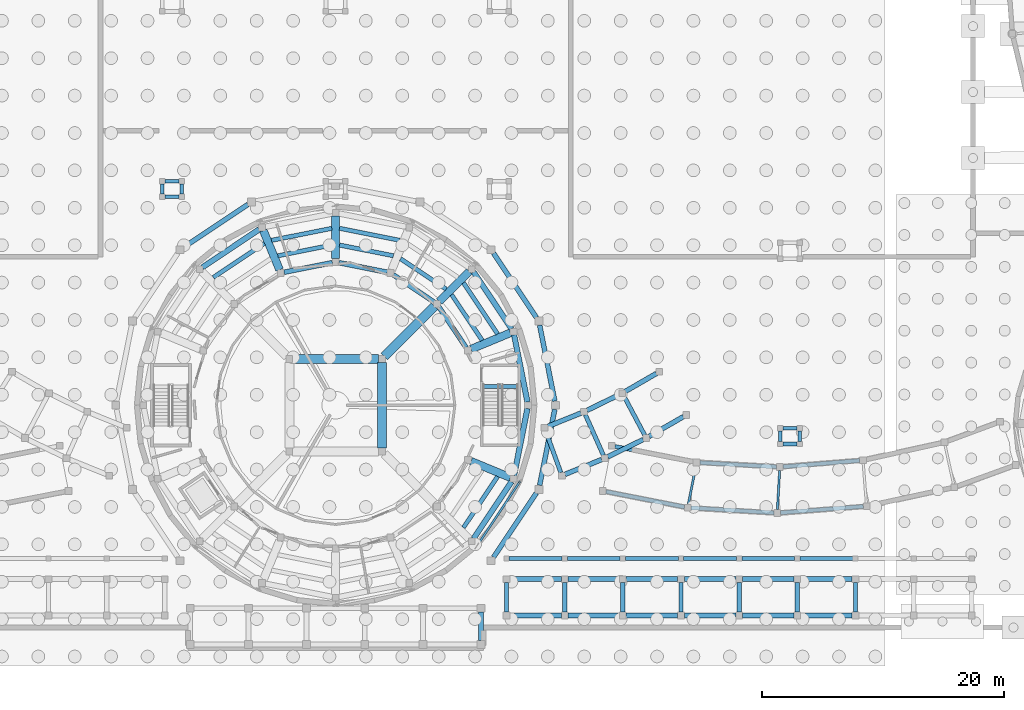
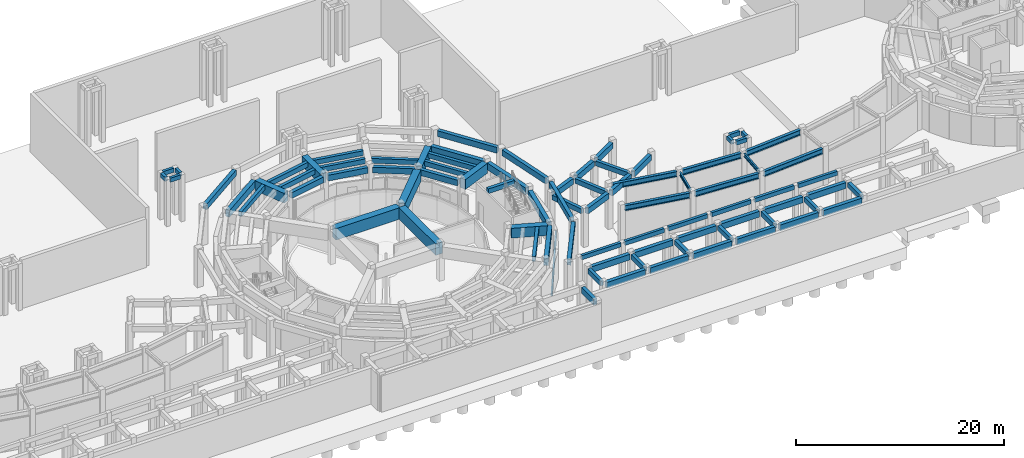
# One storey, part 17 of 57: 83 beams, 1 member.
"""IFC4 building model written with IfcOpenShell, lengths in metres."""

from ifc_helpers import new_model, si_unit, direction, frame, origin, origin_2d, place, context, subcontext, project, spatial, rectangle, i_section, extrude, material, material_profile, profile_set, type_object, element, save


model = new_model("IFC4")

# Units and contexts
model_context = context("Model", 3, precision=1e-05, world=origin(), true_north=direction((0.0, 1.0)))
body_context = subcontext(model_context, "Body", "Model", "MODEL_VIEW")
ifc_project = project(units=[si_unit("LENGTHUNIT", "METRE"), si_unit("AREAUNIT", "SQUARE_METRE"), si_unit("VOLUMEUNIT", "CUBIC_METRE"), si_unit("PLANEANGLEUNIT", "RADIAN"), si_unit("MASSUNIT", "GRAM", prefix="KILO")], contexts=[model_context])

# Site, building, storey
site_placement = place(None, origin())
site = spatial("IfcSite", under=ifc_project, at=site_placement, CompositionType="ELEMENT")
building_placement = place(site_placement, origin())
building = spatial("IfcBuilding", under=site, at=building_placement, Name="Aldenvaro Health Centre", CompositionType="ELEMENT")
storey_placement = place(building_placement, frame((0.0, 0.0, -4.550048828125)))
storey = spatial("IfcBuildingStorey", under=building, at=storey_placement, Name="B1", CompositionType="ELEMENT", Elevation=-4.550048828125)

# Beams
ifc_material_1 = material(Name="Concrete f'c 40 MPa", Category="concrete")
ifc_material_profile_1 = material_profile(ifc_material_1, rectangle(XDim=0.300048828125, YDim=0.47998046875, at=origin_2d()), Name="RC 300x480", Category="concrete")
ifc_profile_set_1 = profile_set([ifc_material_profile_1], Name="Concrete f'c 40 MPa")
beam_type_1 = type_object("IfcBeamType", Name="BM-RC-480", PredefinedType="LINTEL", material=ifc_profile_set_1)
for number, where, z_axis, x_axis, name in (
    (1, (123.925048828125, 16.800048828125, 4.090087890625), (1.0, 0.0, 0.0), (0.0, 1.0, 0.0), "Ramp 3 Departure Beam 1"),
    (2, (125.074951171875, 18.10009765625, 4.090087890625), (-1.0, 0.0, 0.0), (0.0, -1.0, 0.0), "Ramp 3 Departure Beam 2"),
):
    element("IfcBeam", number, at=place(storey_placement, frame(where, z_axis=z_axis, x_axis=x_axis)), inside=storey, type_object=beam_type_1, Name=name, PredefinedType="LINTEL", context=body_context, shape_type="SweptSolid", body=[
        extrude(rectangle(XDim=0.300048828125, YDim=0.47998046875, at=origin_2d()), origin(), (0.0, 0.0, 1.0), 1.14990234375),
    ])
for number, where, z_axis, x_axis, name in (
    (3, (123.699951171875, 17.02490234375, 4.090087890625), (0.0, 1.0, 0.0), (-1.0, 0.0, 0.0), "Ramp 3 Departure Beam 3"),
    (4, (125.300048828125, 17.02490234375, 4.090087890625), (0.0, 1.0, 0.0), (-1.0, 0.0, 0.0), "Ramp 3 Departure Beam 4"),
):
    element("IfcBeam", number, at=place(storey_placement, frame(where, z_axis=z_axis, x_axis=x_axis)), inside=storey, type_object=beam_type_1, Name=name, PredefinedType="LINTEL", context=body_context, shape_type="SweptSolid", body=[
        extrude(rectangle(XDim=0.300048828125, YDim=0.47998046875, at=origin_2d()), origin(), (0.0, 0.0, 1.0), 0.85009765625),
    ])
for number, where, z_axis, x_axis, name in (
    (5, (72.925048828125, 37.199951171875, 5.239990234375), (1.0, 0.0, 0.0), (0.0, 1.0, 0.0), "Ramp 4 Departure Beam 1"),
    (6, (74.074951171875, 38.5, 5.239990234375), (-1.0, 0.0, 0.0), (0.0, -1.0, 0.0), "Ramp 4 Departure Beam 2"),
):
    element("IfcBeam", number, at=place(storey_placement, frame(where, z_axis=z_axis, x_axis=x_axis)), inside=storey, type_object=beam_type_1, Name=name, PredefinedType="LINTEL", context=body_context, shape_type="SweptSolid", body=[
        extrude(rectangle(XDim=0.300048828125, YDim=0.47998046875, at=origin_2d()), origin(), (0.0, 0.0, 1.0), 1.14990234375),
    ])
for number, where, z_axis, x_axis, name in (
    (7, (72.699951171875, 37.425048828125, 5.239990234375), (0.0, 1.0, 0.0), (-1.0, 0.0, 0.0), "Ramp 4 Departure Beam 3"),
    (8, (74.300048828125, 37.425048828125, 5.239990234375), (0.0, 1.0, 0.0), (-1.0, 0.0, 0.0), "Ramp 4 Departure Beam 4"),
):
    element("IfcBeam", number, at=place(storey_placement, frame(where, z_axis=z_axis, x_axis=x_axis)), inside=storey, type_object=beam_type_1, Name=name, PredefinedType="LINTEL", context=body_context, shape_type="SweptSolid", body=[
        extrude(rectangle(XDim=0.300048828125, YDim=0.47998046875, at=origin_2d()), origin(), (0.0, 0.0, 1.0), 0.849853515625),
    ])
for number, where, z_axis, x_axis, name in (
    (9, (101.324951171875, 7.35009765625, 4.31005859375), (1.0, 0.0, 0.0), (0.0, 1.0, 0.0), "Courtyard Screen E Grade Beam 1"),
    (10, (106.125, 7.35009765625, 4.31005859375), (1.0, 0.0, 0.0), (0.0, 1.0, 0.0), "Courtyard Screen E Grade Beam 2"),
):
    element("IfcBeam", number, at=place(storey_placement, frame(where, z_axis=z_axis, x_axis=x_axis)), inside=storey, type_object=beam_type_1, Name=name, PredefinedType="LINTEL", context=body_context, shape_type="SweptSolid", body=[
        extrude(rectangle(XDim=0.300048828125, YDim=0.47998046875, at=origin_2d()), origin(), (0.0, 0.0, 1.0), 4.35009765625),
    ])
for number, where, z_axis, x_axis, name in (
    (11, (110.925048828125, 7.35009765625, 4.31005859375), (1.0, 0.0, 0.0), (0.0, 1.0, 0.0), "Courtyard Screen E Grade Beam 3"),
    (12, (115.72509765625, 7.35009765625, 4.31005859375), (1.0, 0.0, 0.0), (0.0, 1.0, 0.0), "Courtyard Screen E Grade Beam 4"),
):
    element("IfcBeam", number, at=place(storey_placement, frame(where, z_axis=z_axis, x_axis=x_axis)), inside=storey, type_object=beam_type_1, Name=name, PredefinedType="LINTEL", context=body_context, shape_type="SweptSolid", body=[
        extrude(rectangle(XDim=0.300048828125, YDim=0.47998046875, at=origin_2d()), origin(), (0.0, 0.0, 1.0), 4.349853515625),
    ])
for number, where, z_axis, x_axis, name in (
    (13, (120.52490234375, 7.35009765625, 4.31005859375), (1.0, 0.0, 0.0), (0.0, 1.0, 0.0), "Courtyard Screen E Grade Beam 5"),
    (14, (125.324951171875, 7.35009765625, 4.31005859375), (1.0, 0.0, 0.0), (0.0, 1.0, 0.0), "Courtyard Screen E Grade Beam 6"),
):
    element("IfcBeam", number, at=place(storey_placement, frame(where, z_axis=z_axis, x_axis=x_axis)), inside=storey, type_object=beam_type_1, Name=name, PredefinedType="LINTEL", context=body_context, shape_type="SweptSolid", body=[
        extrude(rectangle(XDim=0.300048828125, YDim=0.47998046875, at=origin_2d()), origin(), (0.0, 0.0, 1.0), 4.35009765625),
    ])
ifc_material_profile_2 = material_profile(ifc_material_1, rectangle(XDim=0.35009765625, YDim=0.56005859375, at=origin_2d()), Name="RC 350x560", Category="concrete")
ifc_profile_set_2 = profile_set([ifc_material_profile_2], Name="Concrete f'c 40 MPa")
beam_type_2 = type_object("IfcBeamType", Name="BM-RC-560", PredefinedType="JOIST", material=ifc_profile_set_2)
beam_1_placement = place(storey_placement, frame((99.090087890625, 25.35302734375, 3.85498046875), z_axis=(-0.55561979868, 0.83143649145, 0.0), x_axis=(-0.83143649145, -0.55561979868, 0.0)))
element("IfcBeam", 15, at=beam_1_placement, inside=storey, type_object=beam_type_2, Name="D1 B1 secondary joist 01.1", PredefinedType="JOIST", context=body_context, shape_type="SweptSolid", body=[
    extrude(rectangle(XDim=0.35009765625, YDim=0.56005859375, at=origin_2d()), origin(), (0.0, 0.0, 1.0), 4.531982421875),
])
beam_2_placement = place(storey_placement, frame((100.364990234375, 25.881103515625, 3.85498046875), z_axis=(-0.555566613868, 0.831472030531, 0.0), x_axis=(-0.831472030531, -0.555566613868, 0.0)))
element("IfcBeam", 16, at=beam_2_placement, inside=storey, type_object=beam_type_2, Name="D1 B1 secondary joist 01.2", PredefinedType="JOIST", context=body_context, shape_type="SweptSolid", body=[
    extrude(rectangle(XDim=0.35009765625, YDim=0.56005859375, at=origin_2d()), origin(), (0.0, 0.0, 1.0), 5.0703125),
])
for number, where, z_axis, x_axis, name in (
    (17, (96.12109375, 29.572021484375, 3.85498046875), (-0.83143649145, 0.55561979868, 0.0), (-0.55561979868, -0.83143649145, 0.0), "D1 B1 secondary joist 02.1"),
    (18, (91.763916015625, 32.333984375, 3.85498046875), (-0.980789388514, 0.195069668011, 0.0), (-0.195069668011, -0.980789388514, 0.0), "D1 B1 secondary joist 03.1"),
):
    element("IfcBeam", number, at=place(storey_placement, frame(where, z_axis=z_axis, x_axis=x_axis)), inside=storey, type_object=beam_type_2, Name=name, PredefinedType="JOIST", context=body_context, shape_type="SweptSolid", body=[
        extrude(rectangle(XDim=0.35009765625, YDim=0.56005859375, at=origin_2d()), origin(), (0.0, 0.0, 1.0), 4.531982421875),
    ])
beam_3_placement = place(storey_placement, frame((92.2919921875, 33.60888671875, 3.85498046875), z_axis=(-0.980745146829, 0.195291978769, 0.0), x_axis=(-0.195291978769, -0.980745146829, 0.0)))
element("IfcBeam", 19, at=beam_3_placement, inside=storey, type_object=beam_type_2, Name="D1 B1 secondary joist 03.2", PredefinedType="JOIST", context=body_context, shape_type="SweptSolid", body=[
    extrude(rectangle(XDim=0.35009765625, YDim=0.56005859375, at=origin_2d()), origin(), (0.0, 0.0, 1.0), 5.070556640625),
])
beam_4_placement = place(storey_placement, frame((86.680908203125, 33.218017578125, 3.85498046875), z_axis=(-0.980789388514, -0.195069668011, 0.0), x_axis=(0.195069668011, -0.980789388514, 0.0)))
element("IfcBeam", 20, at=beam_4_placement, inside=storey, type_object=beam_type_2, Name="D1 B1 secondary joist 04.1", PredefinedType="JOIST", context=body_context, shape_type="SweptSolid", body=[
    extrude(rectangle(XDim=0.35009765625, YDim=0.56005859375, at=origin_2d()), origin(), (0.0, 0.0, 1.0), 4.531982421875),
])
beam_5_placement = place(storey_placement, frame((86.680908203125, 34.59912109375, 3.85498046875), z_axis=(-0.980745146829, -0.195291978769, 0.0), x_axis=(0.195291978769, -0.980745146829, 0.0)))
element("IfcBeam", 21, at=beam_5_placement, inside=storey, type_object=beam_type_2, Name="D1 B1 secondary joist 04.2", PredefinedType="JOIST", context=body_context, shape_type="SweptSolid", body=[
    extrude(rectangle(XDim=0.35009765625, YDim=0.56005859375, at=origin_2d()), origin(), (0.0, 0.0, 1.0), 5.070556640625),
])
for number, where, z_axis, x_axis, name in (
    (22, (81.118896484375, 33.364990234375, 3.85498046875), (-0.831472030531, -0.555566613868, 0.0), (0.555566613868, -0.831472030531, 0.0), "D1 B1 secondary joist 05.2"),
    (23, (97.548095703125, 9.903076171875, 3.85498046875), (0.555566613868, 0.831472030531, 0.0), (-0.831472030531, 0.555566613868, 0.0), "D1 B1 secondary joist 13.2"),
):
    element("IfcBeam", number, at=place(storey_placement, frame(where, z_axis=z_axis, x_axis=x_axis)), inside=storey, type_object=beam_type_2, Name=name, PredefinedType="JOIST", context=body_context, shape_type="SweptSolid", body=[
        extrude(rectangle(XDim=0.35009765625, YDim=0.56005859375, at=origin_2d()), origin(), (0.0, 0.0, 1.0), 5.0703125),
    ])
for number, where, z_axis, x_axis, name in (
    (24, (104.33203125, 17.881103515625, 3.949951171875), (0.341914907275, -0.939730916903, 0.0), (0.939730916903, 0.341914907275, 0.0), "Colonnade Transverse Beam 05"),
    (25, (107.612060546875, 19.2060546875, 3.949951171875), (0.406523187551, -0.913640464288, 0.0), (0.913640464288, 0.406523187551, 0.0), "Colonnade Transverse Beam 06"),
):
    element("IfcBeam", number, at=place(storey_placement, frame(where, z_axis=z_axis, x_axis=x_axis)), inside=storey, type_object=beam_type_2, Name=name, PredefinedType="JOIST", context=body_context, shape_type="SweptSolid", body=[
        extrude(rectangle(XDim=0.35009765625, YDim=0.56005859375, at=origin_2d()), origin(), (0.0, 0.0, 1.0), 3.650146484375),
    ])
beam_6_placement = place(storey_placement, frame((110.7900390625, 20.756103515625, 3.949951171875), z_axis=(0.469601878876, -0.882878290228, 0.0), x_axis=(0.882878290228, 0.469601878876, 0.0)))
element("IfcBeam", 26, at=beam_6_placement, inside=storey, type_object=beam_type_2, Name="Colonnade Transverse Beam 07", PredefinedType="JOIST", context=body_context, shape_type="SweptSolid", body=[
    extrude(rectangle(XDim=0.35009765625, YDim=0.56005859375, at=origin_2d()), origin(), (0.0, 0.0, 1.0), 3.649658203125),
])
for number, where, z_axis, x_axis, name in (
    (27, (101.10009765625, 2.925048828125, 4.010009765625), (0.0, 1.0, 0.0), (-1.0, 0.0, 0.0), "South Stoa E Transverse Beam B1-1"),
    (28, (105.89990234375, 2.925048828125, 4.010009765625), (0.0, 1.0, 0.0), (-1.0, 0.0, 0.0), "South Stoa E Transverse Beam B1-2"),
    (29, (110.699951171875, 2.925048828125, 4.010009765625), (0.0, 1.0, 0.0), (-1.0, 0.0, 0.0), "South Stoa E Transverse Beam B1-3"),
    (30, (115.5, 2.925048828125, 4.010009765625), (0.0, 1.0, 0.0), (-1.0, 0.0, 0.0), "South Stoa E Transverse Beam B1-4"),
    (31, (120.300048828125, 2.925048828125, 4.010009765625), (0.0, 1.0, 0.0), (-1.0, 0.0, 0.0), "South Stoa E Transverse Beam B1-5"),
    (32, (125.10009765625, 2.925048828125, 4.010009765625), (0.0, 1.0, 0.0), (-1.0, 0.0, 0.0), "South Stoa E Transverse Beam B1-6"),
    (33, (129.89990234375, 2.925048828125, 4.010009765625), (0.0, 1.0, 0.0), (-1.0, 0.0, 0.0), "South Stoa E Transverse Beam B1-7"),
):
    element("IfcBeam", number, at=place(storey_placement, frame(where, z_axis=z_axis, x_axis=x_axis)), inside=storey, type_object=beam_type_2, Name=name, PredefinedType="JOIST", context=body_context, shape_type="SweptSolid", body=[
        extrude(rectangle(XDim=0.35009765625, YDim=0.56005859375, at=origin_2d()), origin(), (0.0, 0.0, 1.0), 2.449951171875),
    ])
beam_7_placement = place(storey_placement, frame((99.14990234375, 21.550048828125, 4.27001953125), z_axis=(1.0, 0.0, 0.0), x_axis=(0.0, 1.0, 0.0)))
element("IfcBeam", 34, at=beam_7_placement, inside=storey, type_object=beam_type_2, Name="ST-02 L00 stair landing trimmer beam", PredefinedType="JOIST", context=body_context, shape_type="SweptSolid", body=[
    extrude(rectangle(XDim=0.35009765625, YDim=0.56005859375, at=origin_2d()), origin(), (0.0, 0.0, 1.0), 2.900146484375),
])
ifc_material_profile_3 = material_profile(ifc_material_1, rectangle(XDim=0.39990234375, YDim=0.679931640625, at=origin_2d()), Name="RC 400x680", Category="concrete")
ifc_profile_set_3 = profile_set([ifc_material_profile_3], Name="Concrete f'c 40 MPa")
beam_type_3 = type_object("IfcBeamType", Name="BM-RC-680", PredefinedType="BEAM", material=ifc_profile_set_3)
for number, where, z_axis, x_axis, name in (
    (35, (97.76708984375, 24.751953125, 3.795166015625), (-0.55551841035, 0.831504236767, 0.0), (-0.831504236767, -0.55551841035, 0.0), "D1 B1 inner ring beam 01"),
    (36, (95.12890625, 28.510986328125, 3.795166015625), (-0.831504236767, 0.55551841035, 0.0), (-0.55551841035, -0.831504236767, 0.0), "D1 B1 inner ring beam 02"),
):
    element("IfcBeam", number, at=place(storey_placement, frame(where, z_axis=z_axis, x_axis=x_axis)), inside=storey, type_object=beam_type_3, Name=name, PredefinedType="BEAM", context=body_context, shape_type="SweptSolid", body=[
        extrude(rectangle(XDim=0.39990234375, YDim=0.679931640625, at=origin_2d()), origin(), (0.0, 0.0, 1.0), 4.061279296875),
    ])
for number, where, z_axis, x_axis, name in (
    (37, (91.2529296875, 30.97412109375, 3.795166015625), (-0.980797430313, 0.19502923035, 0.0), (-0.19502923035, -0.980797430313, 0.0), "D1 B1 inner ring beam 03"),
    (38, (86.72998046875, 31.76611328125, 3.795166015625), (-0.980797430313, -0.19502923035, 0.0), (0.19502923035, -0.980797430313, 0.0), "D1 B1 inner ring beam 04"),
):
    element("IfcBeam", number, at=place(storey_placement, frame(where, z_axis=z_axis, x_axis=x_axis)), inside=storey, type_object=beam_type_3, Name=name, PredefinedType="BEAM", context=body_context, shape_type="SweptSolid", body=[
        extrude(rectangle(XDim=0.39990234375, YDim=0.679931640625, at=origin_2d()), origin(), (0.0, 0.0, 1.0), 4.060791015625),
    ])
beam_8_placement = place(storey_placement, frame((104.492919921875, 18.241943359375, 3.949951171875), z_axis=(0.927172074398, 0.374635749036, 0.0), x_axis=(-0.374635749036, 0.927172074398, 0.0)))
element("IfcBeam", 39, at=beam_8_placement, inside=storey, type_object=beam_type_3, Name="Colonnade Architrave Beam IN 05", PredefinedType="BEAM", context=body_context, shape_type="SweptSolid", body=[
    extrude(rectangle(XDim=0.39990234375, YDim=0.679931640625, at=origin_2d()), origin(), (0.0, 0.0, 1.0), 2.96826171875),
])
beam_9_placement = place(storey_placement, frame((105.928955078125, 14.2958984375, 3.949951171875), z_axis=(0.927242836854, 0.374460574031, 0.0), x_axis=(-0.374460574031, 0.927242836854, 0.0)))
element("IfcBeam", 40, at=beam_9_placement, inside=storey, type_object=beam_type_3, Name="Colonnade Architrave Beam OUT 05", PredefinedType="BEAM", context=body_context, shape_type="SweptSolid", body=[
    extrude(rectangle(XDim=0.39990234375, YDim=0.679931640625, at=origin_2d()), origin(), (0.0, 0.0, 1.0), 3.26123046875),
])
beam_10_placement = place(storey_placement, frame((107.7470703125, 19.577880859375, 3.949951171875), z_axis=(0.898890989198, 0.438172328586, 0.0), x_axis=(-0.438172328586, 0.898890989198, 0.0)))
element("IfcBeam", 41, at=beam_10_placement, inside=storey, type_object=beam_type_3, Name="Colonnade Architrave Beam IN 06", PredefinedType="BEAM", context=body_context, shape_type="SweptSolid", body=[
    extrude(rectangle(XDim=0.39990234375, YDim=0.679931640625, at=origin_2d()), origin(), (0.0, 0.0, 1.0), 2.967041015625),
])
beam_11_placement = place(storey_placement, frame((109.455078125, 15.740966796875, 3.949951171875), z_axis=(0.898859814594, 0.43823627612, 0.0), x_axis=(-0.43823627612, 0.898859814594, 0.0)))
element("IfcBeam", 42, at=beam_11_placement, inside=storey, type_object=beam_type_3, Name="Colonnade Architrave Beam OUT 06", PredefinedType="BEAM", context=body_context, shape_type="SweptSolid", body=[
    extrude(rectangle(XDim=0.39990234375, YDim=0.679931640625, at=origin_2d()), origin(), (0.0, 0.0, 1.0), 3.2607421875),
])
beam_12_placement = place(storey_placement, frame((110.89892578125, 21.135986328125, 3.949951171875), z_axis=(0.86592126514, 0.500180330059, 0.0), x_axis=(-0.500180330059, 0.86592126514, 0.0)))
element("IfcBeam", 43, at=beam_12_placement, inside=storey, type_object=beam_type_3, Name="Colonnade Architrave Beam IN 07", PredefinedType="BEAM", context=body_context, shape_type="SweptSolid", body=[
    extrude(rectangle(XDim=0.39990234375, YDim=0.679931640625, at=origin_2d()), origin(), (0.0, 0.0, 1.0), 2.96923828125),
])
beam_13_placement = place(storey_placement, frame((112.87109375, 17.428955078125, 3.949951171875), z_axis=(0.866139473422, 0.499802373524, 0.0), x_axis=(-0.499802373524, 0.866139473422, 0.0)))
element("IfcBeam", 44, at=beam_13_placement, inside=storey, type_object=beam_type_3, Name="Colonnade Architrave Beam OUT 07", PredefinedType="BEAM", context=body_context, shape_type="SweptSolid", body=[
    extrude(rectangle(XDim=0.39990234375, YDim=0.679931640625, at=origin_2d()), origin(), (0.0, 0.0, 1.0), 3.261474609375),
])
beam_14_placement = place(storey_placement, frame((99.0, 0.574951171875, 3.989990234375), z_axis=(0.0, 1.0, 0.0), x_axis=(-1.0, 0.0, 0.0)))
element("IfcBeam", 45, at=beam_14_placement, inside=storey, type_object=beam_type_3, Name="Portico Substructure Tie Beam 6", PredefinedType="BEAM", context=body_context, shape_type="SweptSolid", body=[
    extrude(rectangle(XDim=0.39990234375, YDim=0.679931640625, at=origin_2d()), origin(), (0.0, 0.0, 1.0), 2.35009765625),
])
for number, where, z_axis, x_axis, name in (
    (46, (101.375, 2.64990234375, 3.949951171875), (1.0, 0.0, 0.0), (0.0, 1.0, 0.0), "South Stoa E Classical Architrave B1-1.1"),
    (47, (101.375, 5.64990234375, 3.949951171875), (1.0, 0.0, 0.0), (0.0, 1.0, 0.0), "South Stoa E Classical Architrave B1-1.2"),
    (48, (106.175048828125, 2.64990234375, 3.949951171875), (1.0, 0.0, 0.0), (0.0, 1.0, 0.0), "South Stoa E Classical Architrave B1-2.1"),
    (49, (106.175048828125, 5.64990234375, 3.949951171875), (1.0, 0.0, 0.0), (0.0, 1.0, 0.0), "South Stoa E Classical Architrave B1-2.2"),
    (50, (110.97509765625, 2.64990234375, 3.949951171875), (1.0, 0.0, 0.0), (0.0, 1.0, 0.0), "South Stoa E Classical Architrave B1-3.1"),
    (51, (110.97509765625, 5.64990234375, 3.949951171875), (1.0, 0.0, 0.0), (0.0, 1.0, 0.0), "South Stoa E Classical Architrave B1-3.2"),
    (52, (115.77490234375, 2.64990234375, 3.949951171875), (1.0, 0.0, 0.0), (0.0, 1.0, 0.0), "South Stoa E Classical Architrave B1-4.1"),
    (53, (115.77490234375, 5.64990234375, 3.949951171875), (1.0, 0.0, 0.0), (0.0, 1.0, 0.0), "South Stoa E Classical Architrave B1-4.2"),
    (54, (120.574951171875, 2.64990234375, 3.949951171875), (1.0, 0.0, 0.0), (0.0, 1.0, 0.0), "South Stoa E Classical Architrave B1-5.1"),
    (55, (120.574951171875, 5.64990234375, 3.949951171875), (1.0, 0.0, 0.0), (0.0, 1.0, 0.0), "South Stoa E Classical Architrave B1-5.2"),
    (56, (125.375, 2.64990234375, 3.949951171875), (1.0, 0.0, 0.0), (0.0, 1.0, 0.0), "South Stoa E Classical Architrave B1-6.1"),
    (57, (125.375, 5.64990234375, 3.949951171875), (1.0, 0.0, 0.0), (0.0, 1.0, 0.0), "South Stoa E Classical Architrave B1-6.2"),
):
    element("IfcBeam", number, at=place(storey_placement, frame(where, z_axis=z_axis, x_axis=x_axis)), inside=storey, type_object=beam_type_3, Name=name, PredefinedType="BEAM", context=body_context, shape_type="SweptSolid", body=[
        extrude(rectangle(XDim=0.39990234375, YDim=0.679931640625, at=origin_2d()), origin(), (0.0, 0.0, 1.0), 4.25),
    ])
beam_15_placement = place(storey_placement, frame((105.08203125, 20.343017578125, 4.090087890625), z_axis=(-0.195226015324, 0.980758279568, 0.0), x_axis=(-0.980758279568, -0.195226015324, 0.0)))
element("IfcBeam", 58, at=beam_15_placement, inside=storey, type_object=beam_type_3, Name="Waiting Rotunda Peristyle Grade Ring 01", PredefinedType="BEAM", context=body_context, shape_type="SweptSolid", body=[
    extrude(rectangle(XDim=0.39990234375, YDim=0.679931640625, at=origin_2d()), origin(), (0.0, 0.0, 1.0), 6.3828125),
])
for number, where, z_axis, x_axis, name in (
    (59, (103.573974609375, 27.237060546875, 4.090087890625), (-0.555635655286, 0.831425894818, 0.0), (-0.831425894818, -0.555635655286, 0.0), "Waiting Rotunda Peristyle Grade Ring 02"),
    (60, (79.762939453125, 36.573974609375, 4.090087890625), (-0.831425894818, -0.555635655286, 0.0), (0.555635655286, -0.831425894818, 0.0), "Waiting Rotunda Peristyle Grade Ring 06"),
    (61, (100.028076171875, 7.45703125, 4.090087890625), (0.555635655286, 0.831425894818, 0.0), (-0.831425894818, 0.555635655286, 0.0), "Waiting Rotunda Peristyle Grade Ring 15"),
):
    element("IfcBeam", number, at=place(storey_placement, frame(where, z_axis=z_axis, x_axis=x_axis)), inside=storey, type_object=beam_type_3, Name=name, PredefinedType="BEAM", context=body_context, shape_type="SweptSolid", body=[
        extrude(rectangle(XDim=0.39990234375, YDim=0.679931640625, at=origin_2d()), origin(), (0.0, 0.0, 1.0), 6.381591796875),
    ])
beam_16_placement = place(storey_placement, frame((103.8359375, 13.39697265625, 4.090087890625), z_axis=(0.195226015324, 0.980758279568, 0.0), x_axis=(-0.980758279568, 0.195226015324, 0.0)))
element("IfcBeam", 62, at=beam_16_placement, inside=storey, type_object=beam_type_3, Name="Waiting Rotunda Peristyle Grade Ring 16", PredefinedType="BEAM", context=body_context, shape_type="SweptSolid", body=[
    extrude(rectangle(XDim=0.39990234375, YDim=0.679931640625, at=origin_2d()), origin(), (0.0, 0.0, 1.0), 6.3828125),
])
ifc_material_profile_4 = material_profile(ifc_material_1, rectangle(XDim=0.449951171875, YDim=0.800048828125, at=origin_2d()), Name="RC 450x800", Category="concrete")
ifc_profile_set_4 = profile_set([ifc_material_profile_4], Name="Concrete f'c 40 MPa")
beam_type_4 = type_object("IfcBeamType", Name="BM-RC-800I", PredefinedType="SPANDREL", material=ifc_profile_set_4)
for number, where, z_axis, x_axis, name in (
    (63, (102.825927734375, 20.27001953125, 3.735107421875), (-0.195001561763, 0.98080293174, 0.0), (-0.98080293174, -0.195001561763, 0.0), "D1 B1 perimeter spandrel 01"),
    (64, (101.51806640625, 26.305908203125, 3.735107421875), (-0.55550832154, 0.831510976897, 0.0), (-0.831510976897, -0.55550832154, 0.0), "D1 B1 perimeter spandrel 02"),
    (65, (80.694091796875, 34.51806640625, 3.735107421875), (-0.831510976897, -0.55550832154, 0.0), (0.55550832154, -0.831510976897, 0.0), "D1 B1 perimeter spandrel 06"),
    (66, (98.382080078125, 9.0, 3.735107421875), (0.55550832154, 0.831510976897, 0.0), (-0.831510976897, 0.55550832154, 0.0), "D1 B1 perimeter spandrel 15"),
    (67, (101.72509765625, 14.193115234375, 3.735107421875), (0.195001561763, 0.98080293174, 0.0), (-0.98080293174, 0.195001561763, 0.0), "D1 B1 perimeter spandrel 16"),
):
    element("IfcBeam", number, at=place(storey_placement, frame(where, z_axis=z_axis, x_axis=x_axis)), inside=storey, type_object=beam_type_4, Name=name, PredefinedType="SPANDREL", context=body_context, shape_type="SweptSolid", body=[
        extrude(rectangle(XDim=0.449951171875, YDim=0.800048828125, at=origin_2d()), origin(), (0.0, 0.0, 1.0), 5.645263671875),
    ])
ifc_material_profile_5 = material_profile(ifc_material_1, rectangle(XDim=0.64990234375, YDim=1.14990234375, at=origin_2d()), Name="RC 650x1150", Category="concrete")
ifc_profile_set_5 = profile_set([ifc_material_profile_5], Name="Concrete f'c 40 MPa")
beam_type_5 = type_object("IfcBeamType", Name="BM-RC-TG1150", PredefinedType="BEAM", material=ifc_profile_set_5)
beam_17_placement = place(storey_placement, frame((98.174072265625, 24.6279296875, 3.56005859375), z_axis=(0.923805717808, 0.382861588235, 0.0), x_axis=(-0.382861588235, 0.923805717808, 0.0)))
element("IfcBeam", 68, at=beam_17_placement, inside=storey, type_object=beam_type_5, Name="D1 B1 radial beam 01", PredefinedType="BEAM", context=body_context, shape_type="SweptSolid", body=[
    extrude(rectangle(XDim=0.64990234375, YDim=1.14990234375, at=origin_2d()), origin(), (0.0, 0.0, 1.0), 3.510498046875),
])
beam_18_placement = place(storey_placement, frame((95.552001953125, 28.552001953125, 3.56005859375), z_axis=(0.707106781187, 0.707106781187, 0.0), x_axis=(-0.707106781187, 0.707106781187, 0.0)))
element("IfcBeam", 69, at=beam_18_placement, inside=storey, type_object=beam_type_5, Name="D1 B1 radial beam 02", PredefinedType="BEAM", context=body_context, shape_type="SweptSolid", body=[
    extrude(rectangle(XDim=0.64990234375, YDim=1.14990234375, at=origin_2d()), origin(), (0.0, 0.0, 1.0), 3.511474609375),
])
beam_19_placement = place(storey_placement, frame((87.0, 32.094970703125, 3.56005859375), z_axis=(0.0, 1.0, 0.0), x_axis=(-1.0, 0.0, 0.0)))
element("IfcBeam", 70, at=beam_19_placement, inside=storey, type_object=beam_type_5, Name="D1 B1 radial beam 04", PredefinedType="BEAM", context=body_context, shape_type="SweptSolid", body=[
    extrude(rectangle(XDim=0.64990234375, YDim=1.14990234375, at=origin_2d()), origin(), (0.0, 0.0, 1.0), 3.510009765625),
])
for number, where, z_axis, x_axis, name in (
    (71, (82.3720703125, 31.174072265625, 3.56005859375), (-0.382861588235, 0.923805717808, 0.0), (-0.923805717808, -0.382861588235, 0.0), "D1 B1 radial beam 05"),
    (72, (98.174072265625, 15.3720703125, 3.56005859375), (0.923805717808, -0.382861588235, 0.0), (0.382861588235, 0.923805717808, 0.0), "D1 B1 radial beam 14"),
):
    element("IfcBeam", number, at=place(storey_placement, frame(where, z_axis=z_axis, x_axis=x_axis)), inside=storey, type_object=beam_type_5, Name=name, PredefinedType="BEAM", context=body_context, shape_type="SweptSolid", body=[
        extrude(rectangle(XDim=0.64990234375, YDim=1.14990234375, at=origin_2d()), origin(), (0.0, 0.0, 1.0), 3.510498046875),
    ])
ifc_material_profile_6 = material_profile(ifc_material_1, rectangle(XDim=0.75, YDim=1.35009765625, at=origin_2d()), Name="RC 750x1350", Category="concrete")
ifc_profile_set_6 = profile_set([ifc_material_profile_6], Name="Concrete f'c 40 MPa")
beam_type_6 = type_object("IfcBeamType", Name="BM-RC-TG1350", PredefinedType="BEAM", material=ifc_profile_set_6)
beam_20_placement = place(storey_placement, frame((90.54296875, 23.818115234375, 3.4599609375), z_axis=(-1.0, 0.0, 0.0), x_axis=(0.0, -1.0, 0.0)))
element("IfcBeam", 73, at=beam_20_placement, inside=storey, type_object=beam_type_6, Name="Transfer Girder TG-01 span 1", PredefinedType="BEAM", context=body_context, shape_type="SweptSolid", body=[
    extrude(rectangle(XDim=0.75, YDim=1.35009765625, at=origin_2d()), origin(), (0.0, 0.0, 1.0), 7.0859375),
])
beam_21_placement = place(storey_placement, frame((91.011962890625, 24.011962890625, 3.4599609375), z_axis=(0.707106781187, 0.707106781187, 0.0), x_axis=(-0.707106781187, 0.707106781187, 0.0)))
element("IfcBeam", 74, at=beam_21_placement, inside=storey, type_object=beam_type_6, Name="Transfer Girder TG-01 radial 1", PredefinedType="BEAM", context=body_context, shape_type="SweptSolid", body=[
    extrude(rectangle(XDim=0.75, YDim=1.35009765625, at=origin_2d()), origin(), (0.0, 0.0, 1.0), 5.8720703125),
])
beam_22_placement = place(storey_placement, frame((90.818115234375, 16.45703125, 3.4599609375), z_axis=(0.0, 1.0, 0.0), x_axis=(-1.0, 0.0, 0.0)))
element("IfcBeam", 75, at=beam_22_placement, inside=storey, type_object=beam_type_6, Name="Transfer Girder TG-01 span 4", PredefinedType="BEAM", context=body_context, shape_type="SweptSolid", body=[
    extrude(rectangle(XDim=0.75, YDim=1.35009765625, at=origin_2d()), origin(), (0.0, 0.0, 1.0), 7.0859375),
])
ifc_material_2 = material(Name="Steel ASTM A992 Grade 50", Category="steel")
ifc_material_profile_7 = material_profile(ifc_material_2, i_section(OverallWidth=0.180908203125, OverallDepth=0.4169921875, WebThickness=0.010986328125, FlangeThickness=0.018310546875, at=origin_2d()), Name="W16X57", Category="steel")
ifc_profile_set_7 = profile_set([ifc_material_profile_7], Name="Steel ASTM A992 Grade 50")
beam_type_7 = type_object("IfcBeamType", Name="BM-ST-W16", PredefinedType="JOIST", material=ifc_profile_set_7)
beam_23_placement = place(storey_placement, frame((116.73291015625, 15.008056640625, 4.0810546875), z_axis=(-0.192675532925, -0.981262522984, 0.0), x_axis=(0.981262522984, -0.192675532925, 0.0)))
element("IfcBeam", 76, at=beam_23_placement, inside=storey, type_object=beam_type_7, Name="South East Curved Peristyle Walkway Arc 1 B1 cross beam 2", PredefinedType="JOIST", context=body_context, shape_type="SweptSolid", body=[
    extrude(i_section(OverallWidth=0.180908203125, OverallDepth=0.4169921875, WebThickness=0.010986328125, FlangeThickness=0.018310546875, at=origin_2d()), origin(), (0.0, 0.0, 1.0), 3.248779296875),
])
beam_24_placement = place(storey_placement, frame((123.64306640625, 14.625, 4.0810546875), z_axis=(-0.057255211564, -0.998359574877, 0.0), x_axis=(0.998359574877, -0.057255211564, 0.0)))
element("IfcBeam", 77, at=beam_24_placement, inside=storey, type_object=beam_type_7, Name="South East Curved Peristyle Walkway Arc 2 B1 cross beam 2", PredefinedType="JOIST", context=body_context, shape_type="SweptSolid", body=[
    extrude(i_section(OverallWidth=0.180908203125, OverallDepth=0.4169921875, WebThickness=0.010986328125, FlangeThickness=0.018310546875, at=origin_2d()), origin(), (0.0, 0.0, 1.0), 3.249267578125),
])
ifc_material_profile_8 = material_profile(ifc_material_2, i_section(OverallWidth=0.326904296875, OverallDepth=0.6220703125, WebThickness=0.015380859375, FlangeThickness=0.0244140625, at=origin_2d()), Name="W24X131", Category="steel")
ifc_profile_set_8 = profile_set([ifc_material_profile_8], Name="Steel ASTM A992 Grade 50")
beam_type_8 = type_object("IfcBeamType", Name="BM-ST-W24", PredefinedType="BEAM", material=ifc_profile_set_8)
for number, where, z_axis, x_axis, name in (
    (78, (110.048095703125, 16.60009765625, 3.97900390625), (0.9812907043, -0.192531954892, 0.0), (0.192531954892, 0.9812907043, 0.0), "South East Curved Peristyle Walkway Arc 1 B1 girder L-1"),
    (79, (109.31591796875, 12.8720703125, 3.97900390625), (0.9812907043, -0.192531954892, 0.0), (0.192531954892, 0.9812907043, 0.0), "South East Curved Peristyle Walkway Arc 1 B1 girder R-1"),
):
    element("IfcBeam", number, at=place(storey_placement, frame(where, z_axis=z_axis, x_axis=x_axis)), inside=storey, type_object=beam_type_8, Name=name, PredefinedType="BEAM", context=body_context, shape_type="SweptSolid", body=[
        extrude(i_section(OverallWidth=0.326904296875, OverallDepth=0.6220703125, WebThickness=0.015380859375, FlangeThickness=0.0244140625, at=origin_2d()), origin(), (0.0, 0.0, 1.0), 6.59130859375),
    ])
beam_25_placement = place(storey_placement, frame((117.06103515625, 15.262939453125, 3.97900390625), z_axis=(0.998489749341, -0.054938333249, 0.0), x_axis=(0.054938333249, 0.998489749341, 0.0)))
element("IfcBeam", 80, at=beam_25_placement, inside=storey, type_object=beam_type_8, Name="South East Curved Peristyle Walkway Arc 2 B1 girder L-1", PredefinedType="BEAM", context=body_context, shape_type="SweptSolid", body=[
    extrude(i_section(OverallWidth=0.326904296875, OverallDepth=0.6220703125, WebThickness=0.015380859375, FlangeThickness=0.0244140625, at=origin_2d()), origin(), (0.0, 0.0, 1.0), 6.33251953125),
])
beam_26_placement = place(storey_placement, frame((116.3291015625, 11.533935546875, 3.97900390625), z_axis=(0.998190411016, -0.060132381923, 0.0), x_axis=(0.060132381923, 0.998190411016, 0.0)))
element("IfcBeam", 81, at=beam_26_placement, inside=storey, type_object=beam_type_8, Name="South East Curved Peristyle Walkway Arc 2 B1 girder R-1", PredefinedType="BEAM", context=body_context, shape_type="SweptSolid", body=[
    extrude(i_section(OverallWidth=0.326904296875, OverallDepth=0.6220703125, WebThickness=0.015380859375, FlangeThickness=0.0244140625, at=origin_2d()), origin(), (0.0, 0.0, 1.0), 6.849365234375),
])
beam_27_placement = place(storey_placement, frame((123.93310546875, 14.922119140625, 3.97900390625), z_axis=(0.99671535542, 0.080984568093, 0.0), x_axis=(-0.080984568093, 0.99671535542, 0.0)))
element("IfcBeam", 82, at=beam_27_placement, inside=storey, type_object=beam_type_8, Name="South East Curved Peristyle Walkway Arc 3 B1 girder L-1", PredefinedType="BEAM", context=body_context, shape_type="SweptSolid", body=[
    extrude(i_section(OverallWidth=0.326904296875, OverallDepth=0.6220703125, WebThickness=0.015380859375, FlangeThickness=0.0244140625, at=origin_2d()), origin(), (0.0, 0.0, 1.0), 6.333740234375),
])
beam_28_placement = place(storey_placement, frame((123.715087890625, 11.126953125, 3.97900390625), z_axis=(0.997102309652, 0.076072229409, 0.0), x_axis=(-0.076072229409, 0.997102309652, 0.0)))
element("IfcBeam", 83, at=beam_28_placement, inside=storey, type_object=beam_type_8, Name="South East Curved Peristyle Walkway Arc 3 B1 girder R-1", PredefinedType="BEAM", context=body_context, shape_type="SweptSolid", body=[
    extrude(i_section(OverallWidth=0.326904296875, OverallDepth=0.6220703125, WebThickness=0.015380859375, FlangeThickness=0.0244140625, at=origin_2d()), origin(), (0.0, 0.0, 1.0), 6.8486328125),
])

# Member
ifc_material_3 = material(Name="Glulam GL28h", Category="wood")
ifc_material_profile_9 = material_profile(ifc_material_3, rectangle(XDim=0.175048828125, YDim=0.26611328125, at=origin_2d()), Name="GL 175x266", Category="wood")
ifc_profile_set_9 = profile_set([ifc_material_profile_9], Name="Glulam GL28h")
member_type = type_object("IfcMemberType", Name="MEM-BR-266", PredefinedType="BRACE", material=ifc_profile_set_9)
member_placement = place(storey_placement, frame((98.64990234375, 8.3779296875, 0.16015625), z_axis=(0.502405654086, 0.751757968049, 0.427139925805), x_axis=(-0.831420032718, 0.555644426945, 0.0)))
element("IfcMember", 84, at=member_placement, inside=storey, type_object=member_type, Name="D1 B1 timber brace 15", PredefinedType="BRACE", context=body_context, shape_type="SweptSolid", body=[
    extrude(rectangle(XDim=0.175048828125, YDim=0.26611328125, at=origin_2d()), origin(), (0.0, 0.0, 1.0), 7.058349609375),
])

save(model, "model.ifc")
